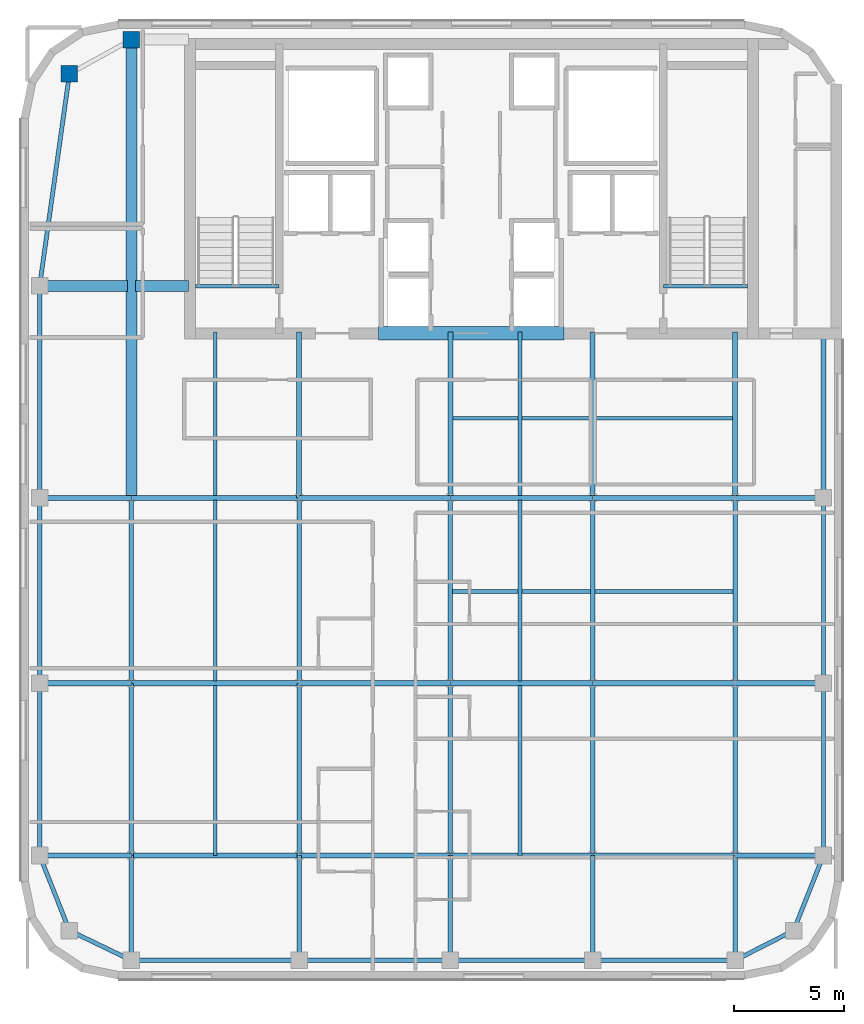
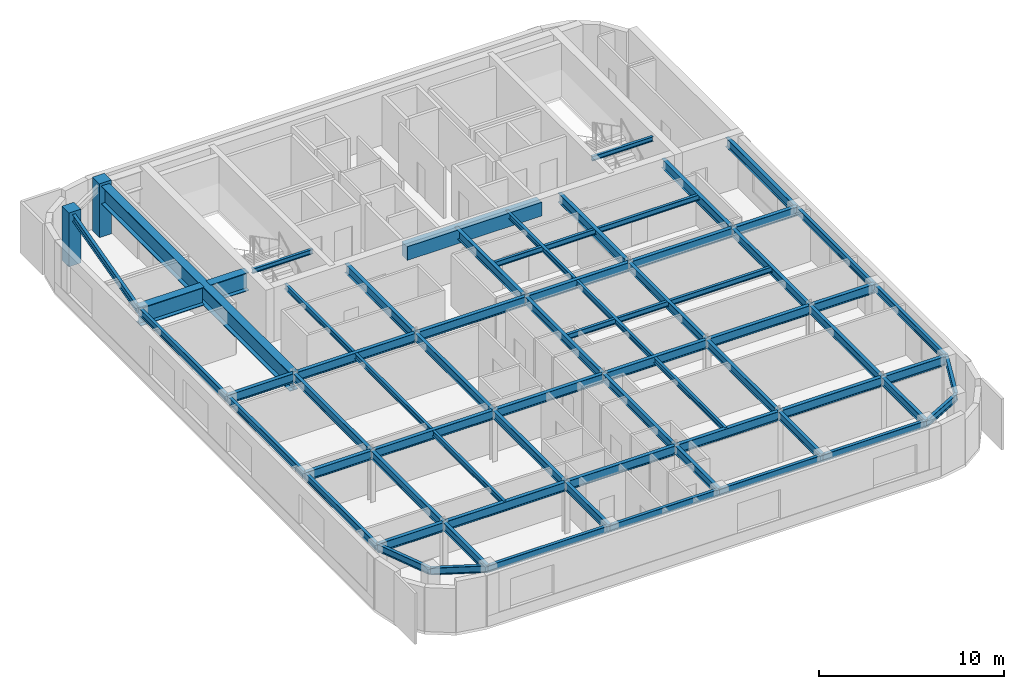
# One storey, part 2 of 11: 66 beams, 2 columns.
"""IFC4 building model written with IfcOpenShell, lengths in metres."""

from ifc_helpers import new_model, si_unit, direction, frame, origin, origin_2d, place, context, subcontext, project, spatial, rectangle, i_section, extrude, source, transform, mapped, material, material_profile, profile_set, type_object, type_shapes, element, save


model = new_model("IFC4")

# Units and contexts
model_context = context("Model", 3, precision=1e-05, world=origin(), true_north=direction((0.0, 1.0)))
body_context = subcontext(model_context, "Body", "Model", "MODEL_VIEW")
ifc_project = project(units=[si_unit("LENGTHUNIT", "METRE"), si_unit("AREAUNIT", "SQUARE_METRE"), si_unit("VOLUMEUNIT", "CUBIC_METRE"), si_unit("PLANEANGLEUNIT", "RADIAN"), si_unit("MASSUNIT", "GRAM", prefix="KILO")], contexts=[model_context])

# Site, building, storey
site_placement = place(None, origin())
site = spatial("IfcSite", under=ifc_project, at=site_placement, CompositionType="ELEMENT")
building_placement = place(site_placement, origin())
building = spatial("IfcBuilding", under=site, at=building_placement, Name="Tolvann Quenvar Hotel", CompositionType="ELEMENT")
storey_placement = place(building_placement, frame((0.0, 0.0, 234.550048828125)))
storey = spatial("IfcBuildingStorey", under=building, at=storey_placement, Name="L62", CompositionType="ELEMENT", Elevation=234.550048828125)

# Columns
ifc_material_1 = material(Name="Concrete N50 (50 MPa)", Category="concrete")
ifc_material_profile_1 = material_profile(ifc_material_1, rectangle(XDim=0.75, YDim=0.75, at=origin_2d()), Name="RC750x750")
ifc_profile_set_1 = profile_set([ifc_material_profile_1], Name="Concrete N50 (50 MPa)")
column_type = type_object("IfcColumnType", Name="COL_RC750", PredefinedType="COLUMN", material=ifc_profile_set_1)
shared_shape_1 = source(origin(), body_context, "Body", "SweptSolid", [
    extrude(rectangle(XDim=0.75, YDim=0.75, at=origin_2d()), origin(), (0.0, 0.0, 1.0), 3.550048828125),
])
type_shapes(column_type, [shared_shape_1])
for number, where, z_axis, x_axis, name in (
    (1, (4.800048828125, 43.60009765625, 0.0), (0.0, 0.0, 1.0), (1.0, 0.0, 0.0), "Column BN (L62)"),
    (2, (7.60009765625, 45.14990234375, 0.0), (0.0, 0.0, 1.0), (1.0, 0.0, 0.0), "Column CN (L62)"),
):
    element("IfcColumn", number, at=place(storey_placement, frame(where, z_axis=z_axis, x_axis=x_axis)), inside=storey, type_object=column_type, Name=name, PredefinedType="COLUMN", context=body_context, shape_type="MappedRepresentation", body=[
        mapped(shared_shape_1, transform((0.0, 0.0, 0.0), x_axis=(1.0, 0.0, 0.0), y_axis=(0.0, 1.0, 0.0), z_axis=(0.0, 0.0, 1.0), scale=1.0)),
    ])

# Beams
ifc_material_profile_2 = material_profile(ifc_material_1, rectangle(XDim=0.60009765625, YDim=0.89990234375, at=origin_2d()), Name="RC600x900")
ifc_profile_set_2 = profile_set([ifc_material_profile_2], Name="Concrete N50 (50 MPa)")
beam_type_1 = type_object("IfcBeamType", Name="BM_LINT_RC600x900", PredefinedType="LINTEL", material=ifc_profile_set_2)
shared_shape_2 = source(origin(), body_context, "Body", "SweptSolid", [
    extrude(rectangle(XDim=0.60009765625, YDim=0.89990234375, at=origin_2d()), origin(), (0.0, 0.0, 1.0), 8.39990234375),
])
type_shapes(beam_type_1, [shared_shape_2])
beam_1_placement = place(storey_placement, frame((18.800048828125, 31.85009765625, 2.919921875), z_axis=(1.0, 0.0, 0.0), x_axis=(0.0, 1.0, 0.0)))
element("IfcBeam", 3, at=beam_1_placement, inside=storey, type_object=beam_type_1, Name="Core Coupling Lintel Beam (L62)", PredefinedType="LINTEL", context=body_context, shape_type="MappedRepresentation", body=[
    mapped(shared_shape_2, transform((0.0, 0.0, 0.0), x_axis=(1.0, 0.0, 0.0), y_axis=(0.0, 1.0, 0.0), z_axis=(0.0, 0.0, 1.0), scale=1.0)),
])
ifc_material_2 = material(Name="Steel Grade 350", Category="steel")
ifc_material_profile_3 = material_profile(ifc_material_2, i_section(OverallWidth=0.208984375, OverallDepth=0.532958984375, WebThickness=0.01025390625, FlangeThickness=0.015625, FilletRadius=0.013916015625, at=origin_2d()), Name="530UB92")
ifc_profile_set_3 = profile_set([ifc_material_profile_3], Name="Steel Grade 350")
beam_type_2 = type_object("IfcBeamType", Name="BM_GIRD_530UB92", PredefinedType="BEAM", material=ifc_profile_set_3)
shared_shape_3 = source(origin(), body_context, "Body", "SweptSolid", [
    extrude(i_section(OverallWidth=0.208984375, OverallDepth=0.532958984375, WebThickness=0.01025390625, FlangeThickness=0.015625, FilletRadius=0.013916015625, at=origin_2d()), origin(), (0.0, 0.0, 1.0), 7.800048828125),
])
for number, where, z_axis, x_axis, name in (
    (4, (7.60009765625, 8.199951171875, 3.103515625), (0.0, 1.0, 0.0), (-1.0, 0.0, 0.0), "BM-L62-NS-C3-C4"),
    (5, (15.199951171875, 8.199951171875, 3.103515625), (0.0, 1.0, 0.0), (-1.0, 0.0, 0.0), "BM-L62-NS-D3-D4"),
    (6, (22.050048828125, 8.199951171875, 3.103515625), (0.0, 1.0, 0.0), (-1.0, 0.0, 0.0), "BM-L62-NS-E3-E4"),
    (7, (34.949951171875, 8.199951171875, 3.103515625), (0.0, 1.0, 0.0), (-1.0, 0.0, 0.0), "BM-L62-NS-F3-F4"),
    (8, (28.5, 8.199951171875, 3.103515625), (0.0, 1.0, 0.0), (-1.0, 0.0, 0.0), "BM-L62-NS-M3-M4"),
):
    element("IfcBeam", number, at=place(storey_placement, frame(where, z_axis=z_axis, x_axis=x_axis)), inside=storey, type_object=beam_type_2, Name=name, PredefinedType="BEAM", context=body_context, shape_type="MappedRepresentation", body=[
        mapped(shared_shape_3, transform((0.0, 0.0, 0.0), x_axis=(1.0, 0.0, 0.0), y_axis=(0.0, 1.0, 0.0), z_axis=(0.0, 0.0, 1.0), scale=1.0)),
    ])
shared_shape_4 = source(origin(), body_context, "Body", "SweptSolid", [
    extrude(i_section(OverallWidth=0.208984375, OverallDepth=0.532958984375, WebThickness=0.01025390625, FlangeThickness=0.015625, FilletRadius=0.013916015625, at=origin_2d()), origin(), (0.0, 0.0, 1.0), 8.39990234375),
])
for number, where, z_axis, x_axis, name in (
    (9, (7.60009765625, 16.0, 3.103515625), (0.0, 1.0, 0.0), (-1.0, 0.0, 0.0), "BM-L62-NS-C4-C5"),
    (10, (15.199951171875, 16.0, 3.103515625), (0.0, 1.0, 0.0), (-1.0, 0.0, 0.0), "BM-L62-NS-D4-D5"),
    (11, (22.050048828125, 16.0, 3.103515625), (0.0, 1.0, 0.0), (-1.0, 0.0, 0.0), "BM-L62-NS-E4-E5"),
    (12, (34.949951171875, 16.0, 3.103515625), (0.0, 1.0, 0.0), (-1.0, 0.0, 0.0), "BM-L62-NS-F4-F5"),
    (13, (28.5, 16.0, 3.103515625), (0.0, 1.0, 0.0), (-1.0, 0.0, 0.0), "BM-L62-NS-M4-M5"),
):
    element("IfcBeam", number, at=place(storey_placement, frame(where, z_axis=z_axis, x_axis=x_axis)), inside=storey, type_object=beam_type_2, Name=name, PredefinedType="BEAM", context=body_context, shape_type="MappedRepresentation", body=[
        mapped(shared_shape_4, transform((0.0, 0.0, 0.0), x_axis=(1.0, 0.0, 0.0), y_axis=(0.0, 1.0, 0.0), z_axis=(0.0, 0.0, 1.0), scale=1.0)),
    ])
ifc_material_profile_4 = material_profile(ifc_material_2, i_section(OverallWidth=0.5, OverallDepth=1.199951171875, WebThickness=0.01611328125, FlangeThickness=0.0400390625, at=origin_2d()), Name="1200WB455")
ifc_profile_set_4 = profile_set([ifc_material_profile_4], Name="Steel Grade 350")
beam_type_3 = type_object("IfcBeamType", Name="BM_TG_1200WB455", PredefinedType="USERDEFINED", material=ifc_profile_set_4)
shared_shape_5 = source(origin(), body_context, "Body", "SweptSolid", [
    extrude(i_section(OverallWidth=0.5, OverallDepth=1.199951171875, WebThickness=0.01611328125, FlangeThickness=0.0400390625, at=origin_2d()), origin(), (0.0, 0.0, 1.0), 20.75),
])
beam_2_placement = place(storey_placement, frame((7.60009765625, 24.39990234375, 2.77001953125), z_axis=(0.0, 1.0, 0.0), x_axis=(-1.0, 0.0, 0.0)))
element("IfcBeam", 14, at=beam_2_placement, inside=storey, type_object=beam_type_3, Name="BM-L62-FLK-WC", ObjectType="TRANSFER GIRDER", PredefinedType="USERDEFINED", context=body_context, shape_type="MappedRepresentation", body=[
    mapped(shared_shape_5, transform((0.0, 0.0, 0.0), x_axis=(1.0, 0.0, 0.0), y_axis=(0.0, 1.0, 0.0), z_axis=(0.0, 0.0, 1.0), scale=1.0)),
])
shared_shape_6 = source(origin(), body_context, "Body", "SweptSolid", [
    extrude(i_section(OverallWidth=0.5, OverallDepth=1.199951171875, WebThickness=0.01611328125, FlangeThickness=0.0400390625, at=origin_2d()), origin(), (0.0, 0.0, 1.0), 2.419921875),
])
beam_3_placement = place(storey_placement, frame((7.780029296875, 34.0, 2.77001953125), z_axis=(1.0, 0.0, 0.0), x_axis=(0.0, 1.0, 0.0)))
element("IfcBeam", 15, at=beam_3_placement, inside=storey, type_object=beam_type_3, Name="BM-L62-CTW-MID2", ObjectType="TRANSFER GIRDER", PredefinedType="USERDEFINED", context=body_context, shape_type="MappedRepresentation", body=[
    mapped(shared_shape_6, transform((0.0, 0.0, 0.0), x_axis=(1.0, 0.0, 0.0), y_axis=(0.0, 1.0, 0.0), z_axis=(0.0, 0.0, 1.0), scale=1.0)),
])
ifc_material_profile_5 = material_profile(ifc_material_2, i_section(OverallWidth=0.166015625, OverallDepth=0.306884765625, WebThickness=0.006591796875, FlangeThickness=0.01171875, FilletRadius=0.011474609375, at=origin_2d()), Name="310UB46")
ifc_profile_set_5 = profile_set([ifc_material_profile_5], Name="Steel Grade 350")
beam_type_4 = type_object("IfcBeamType", Name="BM_JOIST_310UB46", PredefinedType="JOIST", material=ifc_profile_set_5)
shared_shape_7 = source(origin(), body_context, "Body", "SweptSolid", [
    extrude(i_section(OverallWidth=0.166015625, OverallDepth=0.306884765625, WebThickness=0.006591796875, FlangeThickness=0.01171875, FilletRadius=0.011474609375, at=origin_2d()), origin(), (0.0, 0.0, 1.0), 3.800048828125),
])
type_shapes(beam_type_4, [shared_shape_7])
for number, where, z_axis, x_axis, name in (
    (16, (10.5, 33.97998046875, 3.216552734375), (1.0, 0.0, 0.0), (0.0, 1.0, 0.0), "BM-HDR-STC1-L63"),
    (17, (31.699951171875, 33.97998046875, 3.216552734375), (1.0, 0.0, 0.0), (0.0, 1.0, 0.0), "BM-HDR-STC2-L63"),
):
    element("IfcBeam", number, at=place(storey_placement, frame(where, z_axis=z_axis, x_axis=x_axis)), inside=storey, type_object=beam_type_4, Name=name, PredefinedType="JOIST", context=body_context, shape_type="MappedRepresentation", body=[
        mapped(shared_shape_7, transform((0.0, 0.0, 0.0), x_axis=(1.0, 0.0, 0.0), y_axis=(0.0, 1.0, 0.0), z_axis=(0.0, 0.0, 1.0), scale=1.0)),
    ])
shared_shape_8 = source(origin(), body_context, "Body", "SweptSolid", [
    extrude(i_section(OverallWidth=0.5, OverallDepth=1.199951171875, WebThickness=0.01611328125, FlangeThickness=0.0400390625, at=origin_2d()), origin(), (0.0, 0.0, 1.0), 3.969970703125),
])
type_shapes(beam_type_3, [shared_shape_5, shared_shape_6, shared_shape_8])
beam_4_placement = place(storey_placement, frame((3.449951171875, 34.0, 2.77001953125), z_axis=(1.0, 0.0, 0.0), x_axis=(0.0, 1.0, 0.0)))
element("IfcBeam", 18, at=beam_4_placement, inside=storey, type_object=beam_type_3, Name="BM-L62-CTW-MID1", ObjectType="TRANSFER GIRDER", PredefinedType="USERDEFINED", context=body_context, shape_type="MappedRepresentation", body=[
    mapped(shared_shape_8, transform((0.0, 0.0, 0.0), x_axis=(1.0, 0.0, 0.0), y_axis=(0.0, 1.0, 0.0), z_axis=(0.0, 0.0, 1.0), scale=1.0)),
])
ifc_material_profile_6 = material_profile(ifc_material_2, i_section(OverallWidth=0.172119140625, OverallDepth=0.35888671875, WebThickness=0.008056640625, FlangeThickness=0.012939453125, FilletRadius=0.011474609375, at=origin_2d()), Name="360UB57")
ifc_profile_set_6 = profile_set([ifc_material_profile_6], Name="Steel Grade 350")
beam_type_5 = type_object("IfcBeamType", Name="BM_JOIST_360UB57", PredefinedType="JOIST", material=ifc_profile_set_6)
shared_shape_9 = source(origin(), body_context, "Body", "SweptSolid", [
    extrude(i_section(OverallWidth=0.172119140625, OverallDepth=0.35888671875, WebThickness=0.008056640625, FlangeThickness=0.012939453125, FilletRadius=0.011474609375, at=origin_2d()), origin(), (0.0, 0.0, 1.0), 12.89990234375),
])
for number, where, z_axis, x_axis, name in (
    (19, (22.050048828125, 20.14990234375, 3.1904296875), (1.0, 0.0, 0.0), (0.0, 1.0, 0.0), "BM-L62-SPINE-20"),
    (20, (22.050048828125, 28.0, 3.1904296875), (1.0, 0.0, 0.0), (0.0, 1.0, 0.0), "BM-L62-SPINE-28"),
):
    element("IfcBeam", number, at=place(storey_placement, frame(where, z_axis=z_axis, x_axis=x_axis)), inside=storey, type_object=beam_type_5, Name=name, PredefinedType="JOIST", context=body_context, shape_type="MappedRepresentation", body=[
        mapped(shared_shape_9, transform((0.0, 0.0, 0.0), x_axis=(1.0, 0.0, 0.0), y_axis=(0.0, 1.0, 0.0), z_axis=(0.0, 0.0, 1.0), scale=1.0)),
    ])
ifc_material_profile_7 = material_profile(ifc_material_2, i_section(OverallWidth=0.22802734375, OverallDepth=0.60205078125, WebThickness=0.010498046875, FlangeThickness=0.014892578125, FilletRadius=0.013916015625, at=origin_2d()), Name="610UB101")
ifc_profile_set_7 = profile_set([ifc_material_profile_7], Name="Steel Grade 350")
beam_type_6 = type_object("IfcBeamType", Name="BM_GIRD_610UB101", PredefinedType="BEAM", material=ifc_profile_set_7)
shared_shape_10 = source(origin(), body_context, "Body", "SweptSolid", [
    extrude(i_section(OverallWidth=0.22802734375, OverallDepth=0.60205078125, WebThickness=0.010498046875, FlangeThickness=0.014892578125, FilletRadius=0.013916015625, at=origin_2d()), origin(), (0.0, 0.0, 1.0), 4.150146484375),
])
for number, where, z_axis, x_axis, name in (
    (21, (3.449951171875, 8.199951171875, 3.06884765625), (1.0, 0.0, 0.0), (0.0, 1.0, 0.0), "BM-L62-EW-3-B3-C3"),
    (22, (3.449951171875, 16.0, 3.06884765625), (1.0, 0.0, 0.0), (0.0, 1.0, 0.0), "BM-L62-EW-4-B4-C4"),
    (23, (3.449951171875, 24.39990234375, 3.06884765625), (1.0, 0.0, 0.0), (0.0, 1.0, 0.0), "BM-L62-EW-5-B5-C5"),
):
    element("IfcBeam", number, at=place(storey_placement, frame(where, z_axis=z_axis, x_axis=x_axis)), inside=storey, type_object=beam_type_6, Name=name, PredefinedType="BEAM", context=body_context, shape_type="MappedRepresentation", body=[
        mapped(shared_shape_10, transform((0.0, 0.0, 0.0), x_axis=(1.0, 0.0, 0.0), y_axis=(0.0, 1.0, 0.0), z_axis=(0.0, 0.0, 1.0), scale=1.0)),
    ])
shared_shape_11 = source(origin(), body_context, "Body", "SweptSolid", [
    extrude(i_section(OverallWidth=0.22802734375, OverallDepth=0.60205078125, WebThickness=0.010498046875, FlangeThickness=0.014892578125, FilletRadius=0.013916015625, at=origin_2d()), origin(), (0.0, 0.0, 1.0), 7.599853515625),
])
for number, where, z_axis, x_axis, name in (
    (24, (7.60009765625, 8.199951171875, 3.06884765625), (1.0, 0.0, 0.0), (0.0, 1.0, 0.0), "BM-L62-EW-3-C3-D3"),
    (25, (7.60009765625, 16.0, 3.06884765625), (1.0, 0.0, 0.0), (0.0, 1.0, 0.0), "BM-L62-EW-4-C4-D4"),
    (26, (7.60009765625, 24.39990234375, 3.06884765625), (1.0, 0.0, 0.0), (0.0, 1.0, 0.0), "BM-L62-EW-5-C5-D5"),
):
    element("IfcBeam", number, at=place(storey_placement, frame(where, z_axis=z_axis, x_axis=x_axis)), inside=storey, type_object=beam_type_6, Name=name, PredefinedType="BEAM", context=body_context, shape_type="MappedRepresentation", body=[
        mapped(shared_shape_11, transform((0.0, 0.0, 0.0), x_axis=(1.0, 0.0, 0.0), y_axis=(0.0, 1.0, 0.0), z_axis=(0.0, 0.0, 1.0), scale=1.0)),
    ])
shared_shape_12 = source(origin(), body_context, "Body", "SweptSolid", [
    extrude(i_section(OverallWidth=0.22802734375, OverallDepth=0.60205078125, WebThickness=0.010498046875, FlangeThickness=0.014892578125, FilletRadius=0.013916015625, at=origin_2d()), origin(), (0.0, 0.0, 1.0), 6.85009765625),
])
for number, where, z_axis, x_axis, name in (
    (27, (15.199951171875, 8.199951171875, 3.06884765625), (1.0, 0.0, 0.0), (0.0, 1.0, 0.0), "BM-L62-EW-3-D3-E3"),
    (28, (15.199951171875, 16.0, 3.06884765625), (1.0, 0.0, 0.0), (0.0, 1.0, 0.0), "BM-L62-EW-4-D4-E4"),
    (29, (15.199951171875, 24.39990234375, 3.06884765625), (1.0, 0.0, 0.0), (0.0, 1.0, 0.0), "BM-L62-EW-5-D5-E5"),
):
    element("IfcBeam", number, at=place(storey_placement, frame(where, z_axis=z_axis, x_axis=x_axis)), inside=storey, type_object=beam_type_6, Name=name, PredefinedType="BEAM", context=body_context, shape_type="MappedRepresentation", body=[
        mapped(shared_shape_12, transform((0.0, 0.0, 0.0), x_axis=(1.0, 0.0, 0.0), y_axis=(0.0, 1.0, 0.0), z_axis=(0.0, 0.0, 1.0), scale=1.0)),
    ])
shared_shape_13 = source(origin(), body_context, "Body", "SweptSolid", [
    extrude(i_section(OverallWidth=0.22802734375, OverallDepth=0.60205078125, WebThickness=0.010498046875, FlangeThickness=0.014892578125, FilletRadius=0.013916015625, at=origin_2d()), origin(), (0.0, 0.0, 1.0), 6.449951171875),
])
for number, where, z_axis, x_axis, name in (
    (30, (22.050048828125, 8.199951171875, 3.06884765625), (1.0, 0.0, 0.0), (0.0, 1.0, 0.0), "BM-L62-EW-3-E3-M3"),
    (31, (28.5, 8.199951171875, 3.06884765625), (1.0, 0.0, 0.0), (0.0, 1.0, 0.0), "BM-L62-EW-3-M3-F3"),
    (32, (22.050048828125, 16.0, 3.06884765625), (1.0, 0.0, 0.0), (0.0, 1.0, 0.0), "BM-L62-EW-4-E4-M4"),
    (33, (28.5, 16.0, 3.06884765625), (1.0, 0.0, 0.0), (0.0, 1.0, 0.0), "BM-L62-EW-4-M4-F4"),
    (34, (22.050048828125, 24.39990234375, 3.06884765625), (1.0, 0.0, 0.0), (0.0, 1.0, 0.0), "BM-L62-EW-5-E5-M5"),
    (35, (28.5, 24.39990234375, 3.06884765625), (1.0, 0.0, 0.0), (0.0, 1.0, 0.0), "BM-L62-EW-5-M5-F5"),
):
    element("IfcBeam", number, at=place(storey_placement, frame(where, z_axis=z_axis, x_axis=x_axis)), inside=storey, type_object=beam_type_6, Name=name, PredefinedType="BEAM", context=body_context, shape_type="MappedRepresentation", body=[
        mapped(shared_shape_13, transform((0.0, 0.0, 0.0), x_axis=(1.0, 0.0, 0.0), y_axis=(0.0, 1.0, 0.0), z_axis=(0.0, 0.0, 1.0), scale=1.0)),
    ])
shared_shape_14 = source(origin(), body_context, "Body", "SweptSolid", [
    extrude(i_section(OverallWidth=0.208984375, OverallDepth=0.532958984375, WebThickness=0.01025390625, FlangeThickness=0.015625, FilletRadius=0.013916015625, at=origin_2d()), origin(), (0.0, 0.0, 1.0), 4.75),
])
type_shapes(beam_type_2, [shared_shape_3, shared_shape_4, shared_shape_14])
for number, where, z_axis, x_axis, name in (
    (36, (7.60009765625, 3.449951171875, 3.103515625), (0.0, 1.0, 0.0), (-1.0, 0.0, 0.0), "BM-L62-NS-C2-C3"),
    (37, (15.199951171875, 3.449951171875, 3.103515625), (0.0, 1.0, 0.0), (-1.0, 0.0, 0.0), "BM-L62-NS-D2-D3"),
    (38, (22.050048828125, 3.449951171875, 3.103515625), (0.0, 1.0, 0.0), (-1.0, 0.0, 0.0), "BM-L62-NS-E2-E3"),
    (39, (34.949951171875, 3.449951171875, 3.103515625), (0.0, 1.0, 0.0), (-1.0, 0.0, 0.0), "BM-L62-NS-F2-F3"),
    (40, (28.5, 3.449951171875, 3.103515625), (0.0, 1.0, 0.0), (-1.0, 0.0, 0.0), "BM-L62-NS-M2-M3"),
):
    element("IfcBeam", number, at=place(storey_placement, frame(where, z_axis=z_axis, x_axis=x_axis)), inside=storey, type_object=beam_type_2, Name=name, PredefinedType="BEAM", context=body_context, shape_type="MappedRepresentation", body=[
        mapped(shared_shape_14, transform((0.0, 0.0, 0.0), x_axis=(1.0, 0.0, 0.0), y_axis=(0.0, 1.0, 0.0), z_axis=(0.0, 0.0, 1.0), scale=1.0)),
    ])
shared_shape_15 = source(origin(), body_context, "Body", "SweptSolid", [
    extrude(i_section(OverallWidth=0.22802734375, OverallDepth=0.60205078125, WebThickness=0.010498046875, FlangeThickness=0.014892578125, FilletRadius=0.013916015625, at=origin_2d()), origin(), (0.0, 0.0, 1.0), 7.5),
])
for number, where, z_axis, x_axis, name in (
    (41, (15.199951171875, 24.39990234375, 3.06884765625), (0.0, 1.0, 0.0), (-1.0, 0.0, 0.0), "BM-L62-CORE-D5"),
    (42, (22.050048828125, 24.39990234375, 3.06884765625), (0.0, 1.0, 0.0), (-1.0, 0.0, 0.0), "BM-L62-CORE-E5"),
    (43, (34.949951171875, 24.39990234375, 3.06884765625), (0.0, 1.0, 0.0), (-1.0, 0.0, 0.0), "BM-L62-CORE-F5"),
    (44, (38.949951171875, 24.39990234375, 3.06884765625), (0.0, 1.0, 0.0), (-1.0, 0.0, 0.0), "BM-L62-CORE-G5"),
    (45, (28.5, 24.39990234375, 3.06884765625), (0.0, 1.0, 0.0), (-1.0, 0.0, 0.0), "BM-L62-CORE-M5"),
):
    element("IfcBeam", number, at=place(storey_placement, frame(where, z_axis=z_axis, x_axis=x_axis)), inside=storey, type_object=beam_type_6, Name=name, PredefinedType="BEAM", context=body_context, shape_type="MappedRepresentation", body=[
        mapped(shared_shape_15, transform((0.0, 0.0, 0.0), x_axis=(1.0, 0.0, 0.0), y_axis=(0.0, 1.0, 0.0), z_axis=(0.0, 0.0, 1.0), scale=1.0)),
    ])
shared_shape_16 = source(origin(), body_context, "Body", "SweptSolid", [
    extrude(i_section(OverallWidth=0.172119140625, OverallDepth=0.35888671875, WebThickness=0.008056640625, FlangeThickness=0.012939453125, FilletRadius=0.011474609375, at=origin_2d()), origin(), (0.0, 0.0, 1.0), 7.692138671875),
])
for number, where, z_axis, x_axis, name in (
    (46, (11.39990234375, 8.199951171875, 3.1904296875), (0.0, 1.0, 0.0), (-1.0, 0.0, 0.0), "BJ-L62-114-82"),
    (47, (25.199951171875, 8.199951171875, 3.1904296875), (0.0, 1.0, 0.0), (-1.0, 0.0, 0.0), "BJ-L62-252-82"),
):
    element("IfcBeam", number, at=place(storey_placement, frame(where, z_axis=z_axis, x_axis=x_axis)), inside=storey, type_object=beam_type_5, Name=name, PredefinedType="JOIST", context=body_context, shape_type="MappedRepresentation", body=[
        mapped(shared_shape_16, transform((0.0, 0.0, 0.0), x_axis=(1.0, 0.0, 0.0), y_axis=(0.0, 1.0, 0.0), z_axis=(0.0, 0.0, 1.0), scale=1.0)),
    ])
shared_shape_17 = source(origin(), body_context, "Body", "SweptSolid", [
    extrude(i_section(OverallWidth=0.172119140625, OverallDepth=0.35888671875, WebThickness=0.008056640625, FlangeThickness=0.012939453125, FilletRadius=0.011474609375, at=origin_2d()), origin(), (0.0, 0.0, 1.0), 8.18408203125),
])
for number, where, z_axis, x_axis, name in (
    (48, (11.39990234375, 16.10791015625, 3.1904296875), (0.0, 1.0, 0.0), (-1.0, 0.0, 0.0), "BJ-L62-114-160"),
    (49, (25.199951171875, 16.10791015625, 3.1904296875), (0.0, 1.0, 0.0), (-1.0, 0.0, 0.0), "BJ-L62-252-160"),
):
    element("IfcBeam", number, at=place(storey_placement, frame(where, z_axis=z_axis, x_axis=x_axis)), inside=storey, type_object=beam_type_5, Name=name, PredefinedType="JOIST", context=body_context, shape_type="MappedRepresentation", body=[
        mapped(shared_shape_17, transform((0.0, 0.0, 0.0), x_axis=(1.0, 0.0, 0.0), y_axis=(0.0, 1.0, 0.0), z_axis=(0.0, 0.0, 1.0), scale=1.0)),
    ])
shared_shape_18 = source(origin(), body_context, "Body", "SweptSolid", [
    extrude(i_section(OverallWidth=0.172119140625, OverallDepth=0.35888671875, WebThickness=0.008056640625, FlangeThickness=0.012939453125, FilletRadius=0.011474609375, at=origin_2d()), origin(), (0.0, 0.0, 1.0), 7.391845703125),
])
type_shapes(beam_type_5, [shared_shape_9, shared_shape_16, shared_shape_17, shared_shape_18])
for number, where, z_axis, x_axis, name in (
    (50, (11.39990234375, 24.508056640625, 3.1904296875), (0.0, 1.0, 0.0), (-1.0, 0.0, 0.0), "BJ-L62-114-244"),
    (51, (25.199951171875, 24.508056640625, 3.1904296875), (0.0, 1.0, 0.0), (-1.0, 0.0, 0.0), "BJ-L62-252-244"),
):
    element("IfcBeam", number, at=place(storey_placement, frame(where, z_axis=z_axis, x_axis=x_axis)), inside=storey, type_object=beam_type_5, Name=name, PredefinedType="JOIST", context=body_context, shape_type="MappedRepresentation", body=[
        mapped(shared_shape_18, transform((0.0, 0.0, 0.0), x_axis=(1.0, 0.0, 0.0), y_axis=(0.0, 1.0, 0.0), z_axis=(0.0, 0.0, 1.0), scale=1.0)),
    ])
ifc_material_profile_8 = material_profile(ifc_material_2, i_section(OverallWidth=0.19091796875, OverallDepth=0.4599609375, WebThickness=0.010009765625, FlangeThickness=0.01611328125, FilletRadius=0.011474609375, at=origin_2d()), Name="460UB82")
ifc_profile_set_8 = profile_set([ifc_material_profile_8], Name="Steel Grade 350")
beam_type_7 = type_object("IfcBeamType", Name="BM_SPAND_460UB82", PredefinedType="SPANDREL", material=ifc_profile_set_8)
shared_shape_19 = source(origin(), body_context, "Body", "SweptSolid", [
    extrude(i_section(OverallWidth=0.19091796875, OverallDepth=0.4599609375, WebThickness=0.010009765625, FlangeThickness=0.01611328125, FilletRadius=0.011474609375, at=origin_2d()), origin(), (0.0, 0.0, 1.0), 3.108642578125),
])
beam_5_placement = place(storey_placement, frame((4.800048828125, 4.800048828125, 3.139892578125), z_axis=(0.900759354066, -0.434318530646, 0.0), x_axis=(0.434318530646, 0.900759354066, 0.0)))
element("IfcBeam", 52, at=beam_5_placement, inside=storey, type_object=beam_type_7, Name="BM-L62-EW-2-B2-C2", PredefinedType="SPANDREL", context=body_context, shape_type="MappedRepresentation", body=[
    mapped(shared_shape_19, transform((0.0, 0.0, 0.0), x_axis=(1.0, 0.0, 0.0), y_axis=(0.0, 1.0, 0.0), z_axis=(0.0, 0.0, 1.0), scale=1.0)),
])
shared_shape_20 = source(origin(), body_context, "Body", "SweptSolid", [
    extrude(i_section(OverallWidth=0.19091796875, OverallDepth=0.4599609375, WebThickness=0.010009765625, FlangeThickness=0.01611328125, FilletRadius=0.011474609375, at=origin_2d()), origin(), (0.0, 0.0, 1.0), 7.599853515625),
])
beam_6_placement = place(storey_placement, frame((7.60009765625, 3.449951171875, 3.139892578125), z_axis=(1.0, 0.0, 0.0), x_axis=(0.0, 1.0, 0.0)))
element("IfcBeam", 53, at=beam_6_placement, inside=storey, type_object=beam_type_7, Name="BM-L62-EW-2-C2-D2", PredefinedType="SPANDREL", context=body_context, shape_type="MappedRepresentation", body=[
    mapped(shared_shape_20, transform((0.0, 0.0, 0.0), x_axis=(1.0, 0.0, 0.0), y_axis=(0.0, 1.0, 0.0), z_axis=(0.0, 0.0, 1.0), scale=1.0)),
])
shared_shape_21 = source(origin(), body_context, "Body", "SweptSolid", [
    extrude(i_section(OverallWidth=0.19091796875, OverallDepth=0.4599609375, WebThickness=0.010009765625, FlangeThickness=0.01611328125, FilletRadius=0.011474609375, at=origin_2d()), origin(), (0.0, 0.0, 1.0), 6.85009765625),
])
beam_7_placement = place(storey_placement, frame((15.199951171875, 3.449951171875, 3.139892578125), z_axis=(1.0, 0.0, 0.0), x_axis=(0.0, 1.0, 0.0)))
element("IfcBeam", 54, at=beam_7_placement, inside=storey, type_object=beam_type_7, Name="BM-L62-EW-2-D2-E2", PredefinedType="SPANDREL", context=body_context, shape_type="MappedRepresentation", body=[
    mapped(shared_shape_21, transform((0.0, 0.0, 0.0), x_axis=(1.0, 0.0, 0.0), y_axis=(0.0, 1.0, 0.0), z_axis=(0.0, 0.0, 1.0), scale=1.0)),
])
shared_shape_22 = source(origin(), body_context, "Body", "SweptSolid", [
    extrude(i_section(OverallWidth=0.19091796875, OverallDepth=0.4599609375, WebThickness=0.010009765625, FlangeThickness=0.01611328125, FilletRadius=0.011474609375, at=origin_2d()), origin(), (0.0, 0.0, 1.0), 6.449951171875),
])
for number, where, z_axis, x_axis, name in (
    (55, (22.050048828125, 3.449951171875, 3.139892578125), (1.0, 0.0, 0.0), (0.0, 1.0, 0.0), "BM-L62-EW-2-E2-M2"),
    (56, (28.5, 3.449951171875, 3.139892578125), (1.0, 0.0, 0.0), (0.0, 1.0, 0.0), "BM-L62-EW-2-M2-F2"),
):
    element("IfcBeam", number, at=place(storey_placement, frame(where, z_axis=z_axis, x_axis=x_axis)), inside=storey, type_object=beam_type_7, Name=name, PredefinedType="SPANDREL", context=body_context, shape_type="MappedRepresentation", body=[
        mapped(shared_shape_22, transform((0.0, 0.0, 0.0), x_axis=(1.0, 0.0, 0.0), y_axis=(0.0, 1.0, 0.0), z_axis=(0.0, 0.0, 1.0), scale=1.0)),
    ])
shared_shape_23 = source(origin(), body_context, "Body", "SweptSolid", [
    extrude(i_section(OverallWidth=0.19091796875, OverallDepth=0.4599609375, WebThickness=0.010009765625, FlangeThickness=0.01611328125, FilletRadius=0.011474609375, at=origin_2d()), origin(), (0.0, 0.0, 1.0), 2.97412109375),
])
beam_8_placement = place(storey_placement, frame((34.949951171875, 3.449951171875, 3.139892578125), z_axis=(0.891036364695, 0.453931929688, 0.0), x_axis=(-0.453931929688, 0.891036364695, 0.0)))
element("IfcBeam", 57, at=beam_8_placement, inside=storey, type_object=beam_type_7, Name="BM-L62-EW-2-F2-G2", PredefinedType="SPANDREL", context=body_context, shape_type="MappedRepresentation", body=[
    mapped(shared_shape_23, transform((0.0, 0.0, 0.0), x_axis=(1.0, 0.0, 0.0), y_axis=(0.0, 1.0, 0.0), z_axis=(0.0, 0.0, 1.0), scale=1.0)),
])
shared_shape_24 = source(origin(), body_context, "Body", "SweptSolid", [
    extrude(i_section(OverallWidth=0.22802734375, OverallDepth=0.60205078125, WebThickness=0.010498046875, FlangeThickness=0.014892578125, FilletRadius=0.013916015625, at=origin_2d()), origin(), (0.0, 0.0, 1.0), 4.0),
])
type_shapes(beam_type_6, [shared_shape_10, shared_shape_11, shared_shape_12, shared_shape_13, shared_shape_15, shared_shape_24])
for number, where, z_axis, x_axis, name in (
    (58, (34.949951171875, 8.199951171875, 3.06884765625), (1.0, 0.0, 0.0), (0.0, 1.0, 0.0), "BM-L62-EW-3-F3-G3"),
    (59, (34.949951171875, 16.0, 3.06884765625), (1.0, 0.0, 0.0), (0.0, 1.0, 0.0), "BM-L62-EW-4-F4-G4"),
    (60, (34.949951171875, 24.39990234375, 3.06884765625), (1.0, 0.0, 0.0), (0.0, 1.0, 0.0), "BM-L62-EW-5-F5-G5"),
):
    element("IfcBeam", number, at=place(storey_placement, frame(where, z_axis=z_axis, x_axis=x_axis)), inside=storey, type_object=beam_type_6, Name=name, PredefinedType="BEAM", context=body_context, shape_type="MappedRepresentation", body=[
        mapped(shared_shape_24, transform((0.0, 0.0, 0.0), x_axis=(1.0, 0.0, 0.0), y_axis=(0.0, 1.0, 0.0), z_axis=(0.0, 0.0, 1.0), scale=1.0)),
    ])
shared_shape_25 = source(origin(), body_context, "Body", "SweptSolid", [
    extrude(i_section(OverallWidth=0.19091796875, OverallDepth=0.4599609375, WebThickness=0.010009765625, FlangeThickness=0.01611328125, FilletRadius=0.011474609375, at=origin_2d()), origin(), (0.0, 0.0, 1.0), 3.658203125),
])
beam_9_placement = place(storey_placement, frame((4.800048828125, 4.800048828125, 3.139892578125), z_axis=(-0.369065163807, 0.929403521009, 0.0), x_axis=(-0.929403521009, -0.369065163807, 0.0)))
element("IfcBeam", 61, at=beam_9_placement, inside=storey, type_object=beam_type_7, Name="BM-L62-NS-B2-B3", PredefinedType="SPANDREL", context=body_context, shape_type="MappedRepresentation", body=[
    mapped(shared_shape_25, transform((0.0, 0.0, 0.0), x_axis=(1.0, 0.0, 0.0), y_axis=(0.0, 1.0, 0.0), z_axis=(0.0, 0.0, 1.0), scale=1.0)),
])
shared_shape_26 = source(origin(), body_context, "Body", "SweptSolid", [
    extrude(i_section(OverallWidth=0.19091796875, OverallDepth=0.4599609375, WebThickness=0.010009765625, FlangeThickness=0.01611328125, FilletRadius=0.011474609375, at=origin_2d()), origin(), (0.0, 0.0, 1.0), 7.800048828125),
])
for number, where, z_axis, x_axis, name in (
    (62, (3.449951171875, 8.199951171875, 3.139892578125), (0.0, 1.0, 0.0), (-1.0, 0.0, 0.0), "BM-L62-NS-B3-B4"),
    (63, (38.949951171875, 8.199951171875, 3.139892578125), (0.0, 1.0, 0.0), (-1.0, 0.0, 0.0), "BM-L62-NS-G3-G4"),
):
    element("IfcBeam", number, at=place(storey_placement, frame(where, z_axis=z_axis, x_axis=x_axis)), inside=storey, type_object=beam_type_7, Name=name, PredefinedType="SPANDREL", context=body_context, shape_type="MappedRepresentation", body=[
        mapped(shared_shape_26, transform((0.0, 0.0, 0.0), x_axis=(1.0, 0.0, 0.0), y_axis=(0.0, 1.0, 0.0), z_axis=(0.0, 0.0, 1.0), scale=1.0)),
    ])
shared_shape_27 = source(origin(), body_context, "Body", "SweptSolid", [
    extrude(i_section(OverallWidth=0.19091796875, OverallDepth=0.4599609375, WebThickness=0.010009765625, FlangeThickness=0.01611328125, FilletRadius=0.011474609375, at=origin_2d()), origin(), (0.0, 0.0, 1.0), 8.39990234375),
])
for number, where, z_axis, x_axis, name in (
    (64, (3.449951171875, 16.0, 3.139892578125), (0.0, 1.0, 0.0), (-1.0, 0.0, 0.0), "BM-L62-NS-B4-B5"),
    (65, (38.949951171875, 16.0, 3.139892578125), (0.0, 1.0, 0.0), (-1.0, 0.0, 0.0), "BM-L62-NS-G4-G5"),
):
    element("IfcBeam", number, at=place(storey_placement, frame(where, z_axis=z_axis, x_axis=x_axis)), inside=storey, type_object=beam_type_7, Name=name, PredefinedType="SPANDREL", context=body_context, shape_type="MappedRepresentation", body=[
        mapped(shared_shape_27, transform((0.0, 0.0, 0.0), x_axis=(1.0, 0.0, 0.0), y_axis=(0.0, 1.0, 0.0), z_axis=(0.0, 0.0, 1.0), scale=1.0)),
    ])
shared_shape_28 = source(origin(), body_context, "Body", "SweptSolid", [
    extrude(i_section(OverallWidth=0.19091796875, OverallDepth=0.4599609375, WebThickness=0.010009765625, FlangeThickness=0.01611328125, FilletRadius=0.011474609375, at=origin_2d()), origin(), (0.0, 0.0, 1.0), 3.657958984375),
])
beam_10_placement = place(storey_placement, frame((37.60009765625, 4.800048828125, 3.139892578125), z_axis=(0.369007513371, 0.929426411867, 0.0), x_axis=(-0.929426411867, 0.369007513371, 0.0)))
element("IfcBeam", 66, at=beam_10_placement, inside=storey, type_object=beam_type_7, Name="BM-L62-NS-G2-G3", PredefinedType="SPANDREL", context=body_context, shape_type="MappedRepresentation", body=[
    mapped(shared_shape_28, transform((0.0, 0.0, 0.0), x_axis=(1.0, 0.0, 0.0), y_axis=(0.0, 1.0, 0.0), z_axis=(0.0, 0.0, 1.0), scale=1.0)),
])
shared_shape_29 = source(origin(), body_context, "Body", "SweptSolid", [
    extrude(i_section(OverallWidth=0.19091796875, OverallDepth=0.4599609375, WebThickness=0.010009765625, FlangeThickness=0.01611328125, FilletRadius=0.011474609375, at=origin_2d()), origin(), (0.0, 0.0, 1.0), 9.60009765625),
])
beam_11_placement = place(storey_placement, frame((3.449951171875, 24.39990234375, 3.139892578125), z_axis=(0.0, 1.0, 0.0), x_axis=(-1.0, 0.0, 0.0)))
element("IfcBeam", 67, at=beam_11_placement, inside=storey, type_object=beam_type_7, Name="BM-L62-FLK-W1", PredefinedType="SPANDREL", context=body_context, shape_type="MappedRepresentation", body=[
    mapped(shared_shape_29, transform((0.0, 0.0, 0.0), x_axis=(1.0, 0.0, 0.0), y_axis=(0.0, 1.0, 0.0), z_axis=(0.0, 0.0, 1.0), scale=1.0)),
])
shared_shape_30 = source(origin(), body_context, "Body", "SweptSolid", [
    extrude(i_section(OverallWidth=0.19091796875, OverallDepth=0.4599609375, WebThickness=0.010009765625, FlangeThickness=0.01611328125, FilletRadius=0.011474609375, at=origin_2d()), origin(), (0.0, 0.0, 1.0), 9.694580078125),
])
type_shapes(beam_type_7, [shared_shape_19, shared_shape_20, shared_shape_21, shared_shape_22, shared_shape_23, shared_shape_25, shared_shape_26, shared_shape_27, shared_shape_28, shared_shape_29, shared_shape_30])
beam_12_placement = place(storey_placement, frame((3.449951171875, 34.0, 3.139892578125), z_axis=(0.139263320262, 0.990255385055, 0.0), x_axis=(-0.990255385055, 0.139263320262, 0.0)))
element("IfcBeam", 68, at=beam_12_placement, inside=storey, type_object=beam_type_7, Name="BM-L62-FLK-W2", PredefinedType="SPANDREL", context=body_context, shape_type="MappedRepresentation", body=[
    mapped(shared_shape_30, transform((0.0, 0.0, 0.0), x_axis=(1.0, 0.0, 0.0), y_axis=(0.0, 1.0, 0.0), z_axis=(0.0, 0.0, 1.0), scale=1.0)),
])

save(model, "model.ifc")
